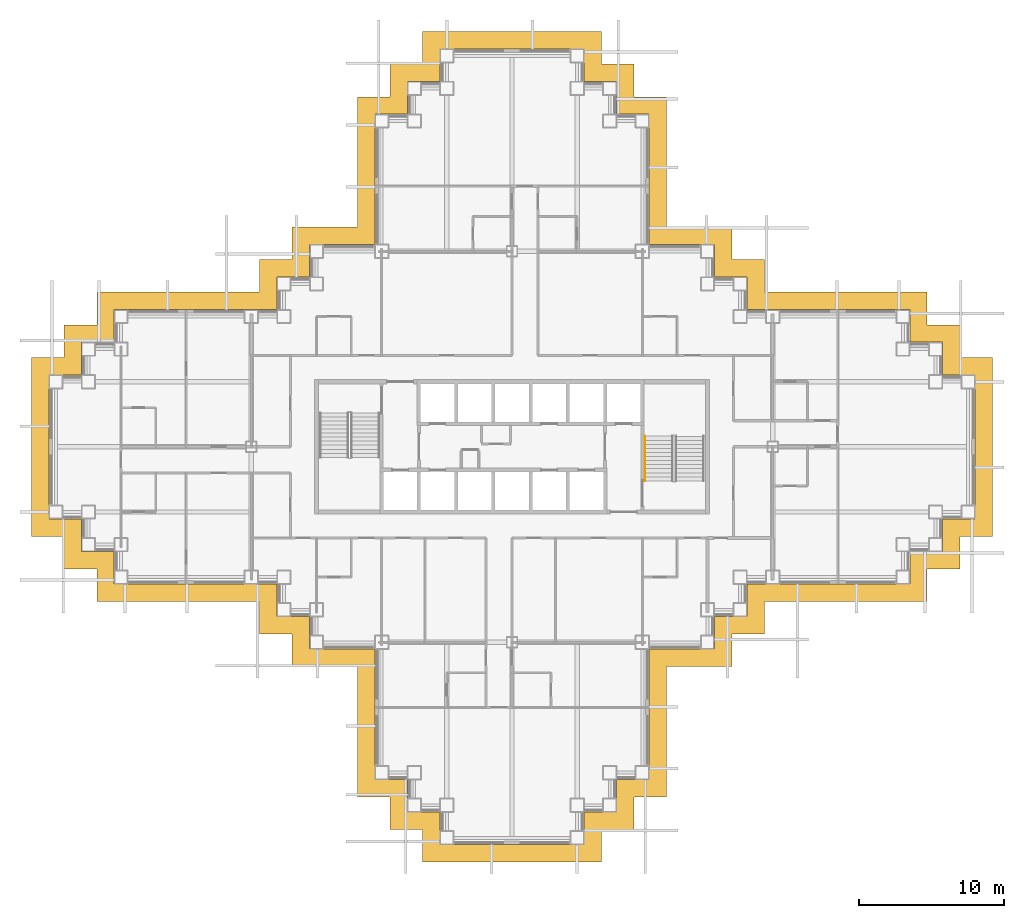
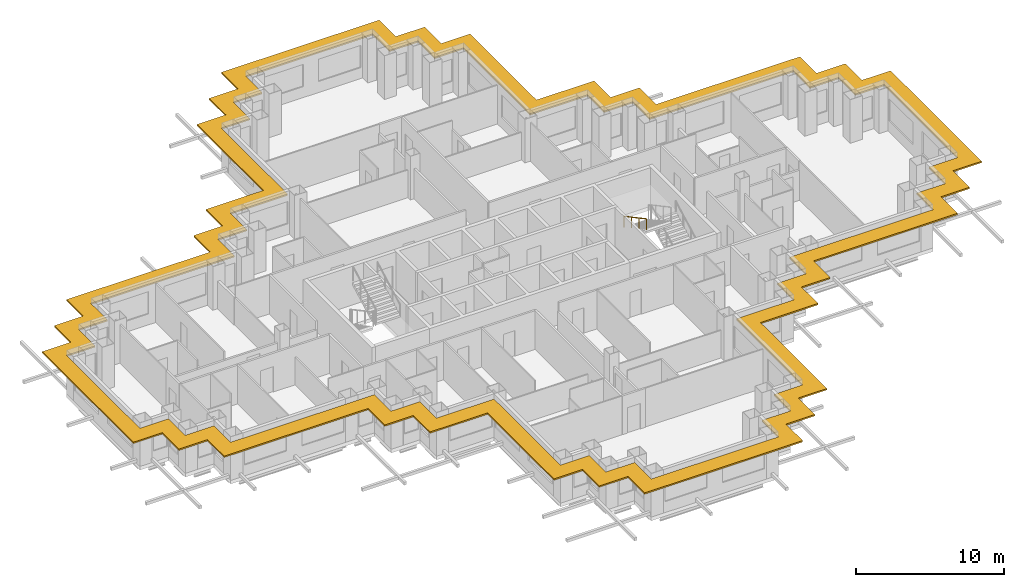
# One storey, part 14 of 15: 1 railing, 1 shading device.
"""IFC4 building model written with IfcOpenShell, lengths in metres."""

from ifc_helpers import new_model, si_unit, direction, frame, origin, origin_2d, place, context, subcontext, project, spatial, polyline, circle, outline, extrude, material, layer, layer_set, type_object, element, save


model = new_model("IFC4")

# Units and contexts
model_context = context("Model", 3, precision=1e-05, world=origin(), true_north=direction((0.0, 1.0)))
body_context = subcontext(model_context, "Body", "Model", "MODEL_VIEW")
ifc_project = project(units=[si_unit("LENGTHUNIT", "METRE"), si_unit("AREAUNIT", "SQUARE_METRE"), si_unit("VOLUMEUNIT", "CUBIC_METRE"), si_unit("PLANEANGLEUNIT", "RADIAN"), si_unit("MASSUNIT", "GRAM", prefix="KILO")], contexts=[model_context])

# Site, building, storey
site_placement = place(None, origin())
site = spatial("IfcSite", under=ifc_project, at=site_placement, CompositionType="ELEMENT")
building_placement = place(site_placement, origin())
building = spatial("IfcBuilding", under=site, at=building_placement, Name="Caravel Reach Hotel and Residences", CompositionType="ELEMENT")
storey_placement = place(building_placement, frame((0.0, 0.0, 92.39990234375)))
storey = spatial("IfcBuildingStorey", under=building, at=storey_placement, Name="L22", CompositionType="ELEMENT", Elevation=92.39990234375)

# Railing
ifc_material_1 = material(Name="Stainless steel handrail", Category="steel")
railing_type = type_object("IfcRailingType", Name="Handrail 900", PredefinedType="HANDRAIL", material=ifc_material_1)
railing_placement = place(storey_placement, frame((40.675048828125, 27.72998046875, 1.9501953125)))
element("IfcRailing", 1, at=railing_placement, inside=storey, type_object=railing_type, Name="L22 ST-B stair handrail 2", PredefinedType="HANDRAIL", context=body_context, shape_type="SweptSolid", body=[
    extrude(circle(Radius=0.02392578125, at=origin_2d()), frame((0.0, 0.0, 0.8759765625), z_axis=(0.0, -0.881496589024, 0.472190389079), x_axis=(1.0, 0.0, 0.0)), (0.0, 0.0, 1.0), 3.494140625),
    extrude(circle(Radius=0.02099609375, at=origin_2d()), origin(), (0.0, 0.0, 1.0), 0.851806640625),
    extrude(circle(Radius=0.02099609375, at=origin_2d()), frame((0.0, -1.026611328125, 0.550048828125)), (0.0, 0.0, 1.0), 0.851806640625),
    extrude(circle(Radius=0.02099609375, at=origin_2d()), frame((0.0, -2.053466796875, 1.099853515625)), (0.0, 0.0, 1.0), 0.851806640625),
    extrude(circle(Radius=0.02099609375, at=origin_2d()), frame((0.0, -3.080078125, 1.64990234375)), (0.0, 0.0, 1.0), 0.851806640625),
])

# Shading device
ifc_material_2 = material(Name="Black powder-coated aluminium", Category="aluminium")
ifc_layer = layer(ifc_material_2, 0.1201171875)
ifc_layer_set = layer_set([ifc_layer], Name="SS1 Sunshade band 1200")
shading_device_type = type_object("IfcShadingDeviceType", Name="SS1 Sunshade band 1200", PredefinedType="USERDEFINED", material=ifc_layer_set)
shading_device_placement = place(storey_placement, frame((0.0, 0.0, 3.0400390625)))
element("IfcShadingDevice", 2, at=shading_device_placement, inside=storey, type_object=shading_device_type, Name="Sunshade L22 1", ObjectType="SUNSHADE", PredefinedType="USERDEFINED", context=body_context, shape_type="SweptSolid", body=[
    extrude(outline(polyline([(20.824951171875, 11.824951171875), (20.824951171875, 2.824951171875), (23.074951171875, 2.824951171875), (23.074951171875, 0.574951171875), (25.324951171875, 0.574951171875), (25.324951171875, -1.675048828125), (37.675048828125, -1.675048828125), (37.675048828125, 0.574951171875), (39.925048828125, 0.574951171875), (39.925048828125, 2.824951171875), (42.175048828125, 2.824951171875), (42.175048828125, 11.824951171875), (46.675048828125, 11.824951171875), (46.675048828125, 14.074951171875), (48.925048828125, 14.074951171875), (48.925048828125, 16.324951171875), (60.175048828125, 16.324951171875), (60.175048828125, 18.574951171875), (62.425048828125, 18.574951171875), (62.425048828125, 20.824951171875), (64.675048828125, 20.824951171875), (64.675048828125, 33.175048828125), (62.425048828125, 33.175048828125), (62.425048828125, 35.425048828125), (60.175048828125, 35.425048828125), (60.175048828125, 37.675048828125), (48.925048828125, 37.675048828125), (48.925048828125, 39.925048828125), (46.675048828125, 39.925048828125), (46.675048828125, 42.175048828125), (42.175048828125, 42.175048828125), (42.175048828125, 51.175048828125), (39.925048828125, 51.175048828125), (39.925048828125, 53.425048828125), (37.675048828125, 53.425048828125), (37.675048828125, 55.675048828125), (25.324951171875, 55.675048828125), (25.324951171875, 53.425048828125), (23.074951171875, 53.425048828125), (23.074951171875, 51.175048828125), (20.824951171875, 51.175048828125), (20.824951171875, 42.175048828125), (16.324951171875, 42.175048828125), (16.324951171875, 39.925048828125), (14.074951171875, 39.925048828125), (14.074951171875, 37.675048828125), (2.824951171875, 37.675048828125), (2.824951171875, 35.425048828125), (0.574951171875, 35.425048828125), (0.574951171875, 33.175048828125), (-1.675048828125, 33.175048828125), (-1.675048828125, 20.824951171875), (0.574951171875, 20.824951171875), (0.574951171875, 18.574951171875), (2.824951171875, 18.574951171875), (2.824951171875, 16.324951171875), (14.074951171875, 16.324951171875), (14.074951171875, 14.074951171875), (16.324951171875, 14.074951171875), (16.324951171875, 11.824951171875), (20.824951171875, 11.824951171875)]), holes=[polyline([(24.27490234375, 4.02490234375), (22.02490234375, 4.02490234375), (22.02490234375, 13.02490234375), (17.52490234375, 13.02490234375), (17.52490234375, 15.27490234375), (15.27490234375, 15.27490234375), (15.27490234375, 17.52490234375), (4.02490234375, 17.52490234375), (4.02490234375, 19.77490234375), (1.77490234375, 19.77490234375), (1.77490234375, 22.02490234375), (-0.47509765625, 22.02490234375), (-0.47509765625, 31.97509765625), (1.77490234375, 31.97509765625), (1.77490234375, 34.22509765625), (4.02490234375, 34.22509765625), (4.02490234375, 36.47509765625), (15.27490234375, 36.47509765625), (15.27490234375, 38.72509765625), (17.52490234375, 38.72509765625), (17.52490234375, 40.97509765625), (22.02490234375, 40.97509765625), (22.02490234375, 49.97509765625), (24.27490234375, 49.97509765625), (24.27490234375, 52.22509765625), (26.52490234375, 52.22509765625), (26.52490234375, 54.47509765625), (36.47509765625, 54.47509765625), (36.47509765625, 52.22509765625), (38.72509765625, 52.22509765625), (38.72509765625, 49.97509765625), (40.97509765625, 49.97509765625), (40.97509765625, 40.97509765625), (45.47509765625, 40.97509765625), (45.47509765625, 38.72509765625), (47.72509765625, 38.72509765625), (47.72509765625, 36.47509765625), (58.97509765625, 36.47509765625), (58.97509765625, 34.22509765625), (61.22509765625, 34.22509765625), (61.22509765625, 31.97509765625), (63.47509765625, 31.97509765625), (63.47509765625, 22.02490234375), (61.22509765625, 22.02490234375), (61.22509765625, 19.77490234375), (58.97509765625, 19.77490234375), (58.97509765625, 17.52490234375), (47.72509765625, 17.52490234375), (47.72509765625, 15.27490234375), (45.47509765625, 15.27490234375), (45.47509765625, 13.02490234375), (40.97509765625, 13.02490234375), (40.97509765625, 4.02490234375), (38.72509765625, 4.02490234375), (38.72509765625, 1.77490234375), (36.47509765625, 1.77490234375), (36.47509765625, -0.47509765625), (26.52490234375, -0.47509765625), (26.52490234375, 1.77490234375), (24.27490234375, 1.77490234375), (24.27490234375, 4.02490234375)])]), origin(), (0.0, 0.0, 1.0), 0.1201171875),
])

save(model, "model.ifc")
